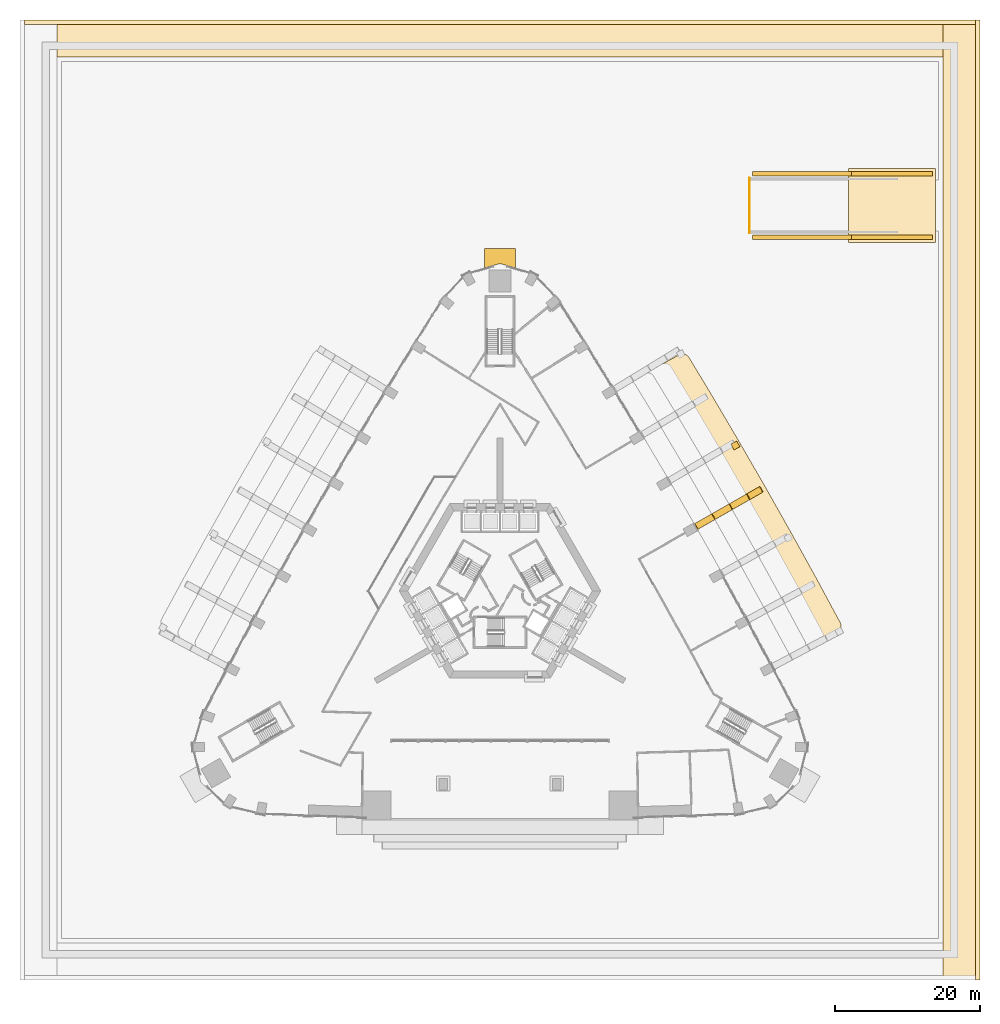
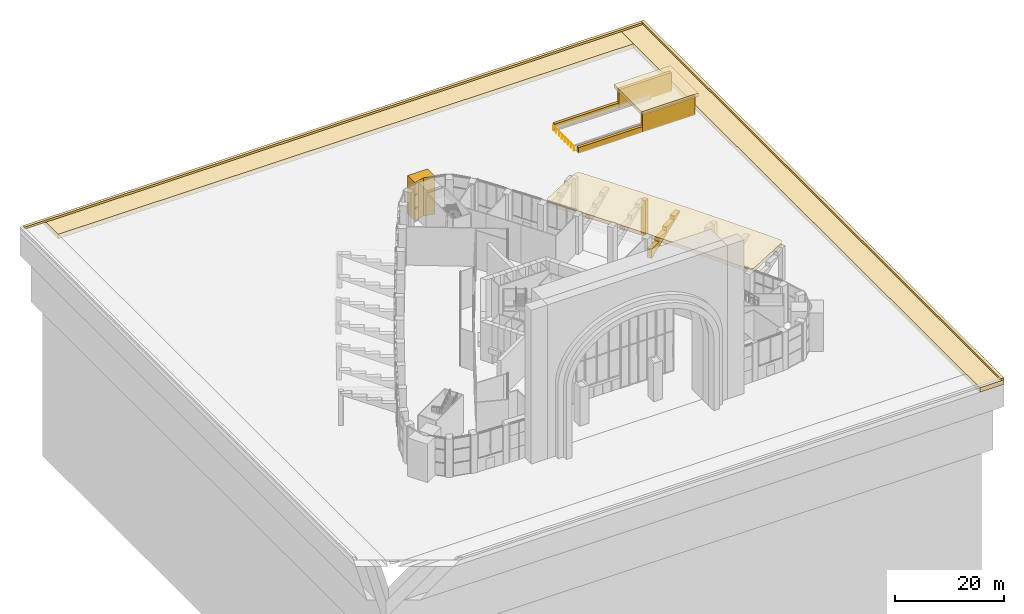
# One storey, part 35 of 36: 13 coverings, 1 railing.
"""IFC4 building model written with IfcOpenShell, lengths in metres."""

from ifc_helpers import new_model, si_unit, direction, frame, origin, origin_2d, place, context, subcontext, project, spatial, polyline, rectangle, circle, outline, extrude, material, layer, layer_set, type_object, element, save


model = new_model("IFC4")

# Units and contexts
model_context = context("Model", 3, precision=1e-05, world=origin(), true_north=direction((0.0, 1.0)))
body_context = subcontext(model_context, "Body", "Model", "MODEL_VIEW")
ifc_project = project(units=[si_unit("LENGTHUNIT", "METRE"), si_unit("AREAUNIT", "SQUARE_METRE"), si_unit("VOLUMEUNIT", "CUBIC_METRE"), si_unit("PLANEANGLEUNIT", "RADIAN"), si_unit("MASSUNIT", "GRAM", prefix="KILO")], contexts=[model_context])

# Site, building, storey
site_placement = place(None, origin())
site = spatial("IfcSite", under=ifc_project, at=site_placement, CompositionType="ELEMENT")
building_placement = place(site_placement, origin())
building = spatial("IfcBuilding", under=site, at=building_placement, Name="Entoto Arch Interchange Tower", CompositionType="ELEMENT")
storey_placement = place(building_placement, origin())
storey = spatial("IfcBuildingStorey", under=building, at=storey_placement, Name="L00", CompositionType="ELEMENT", Elevation=0.0)

# Railing
ifc_material_1 = material(Name="Steel S355, galvanised", Category="steel")
railing_type = type_object("IfcRailingType", Name="Car ramp guard 1100", PredefinedType="GUARDRAIL", material=ifc_material_1)
railing_placement = place(storey_placement, frame((34.300048828125, 51.699951171875, 0.0)))
element("IfcRailing", 1, at=railing_placement, inside=storey, type_object=railing_type, Name="Car ramp R1 guard", PredefinedType="GUARDRAIL", context=body_context, shape_type="SweptSolid", body=[
    extrude(circle(Radius=0.02392578125, at=origin_2d()), frame((0.0, 0.0, 1.076171875), z_axis=(0.0, 1.0, 0.0), x_axis=(-1.0, 0.0, 0.0)), (0.0, 0.0, 1.0), 7.60009765625),
    extrude(circle(Radius=0.02099609375, at=origin_2d()), origin(), (0.0, 0.0, 1.0), 1.052001953125),
    extrude(circle(Radius=0.02099609375, at=origin_2d()), frame((0.0, 1.085693359375, 0.0)), (0.0, 0.0, 1.0), 1.052001953125),
    extrude(circle(Radius=0.02099609375, at=origin_2d()), frame((0.0, 2.17138671875, 0.0)), (0.0, 0.0, 1.0), 1.052001953125),
    extrude(circle(Radius=0.02099609375, at=origin_2d()), frame((0.0, 3.257080078125, 0.0)), (0.0, 0.0, 1.0), 1.052001953125),
    extrude(circle(Radius=0.02099609375, at=origin_2d()), frame((0.0, 4.343017578125, 0.0)), (0.0, 0.0, 1.0), 1.052001953125),
    extrude(circle(Radius=0.02099609375, at=origin_2d()), frame((0.0, 5.4287109375, 0.0)), (0.0, 0.0, 1.0), 1.052001953125),
    extrude(circle(Radius=0.02099609375, at=origin_2d()), frame((0.0, 6.514404296875, 0.0)), (0.0, 0.0, 1.0), 1.052001953125),
    extrude(circle(Radius=0.02099609375, at=origin_2d()), frame((0.0, 7.60009765625, 0.0)), (0.0, 0.0, 1.0), 1.052001953125),
])

# Coverings
ifc_material_2 = material(Name="Board-marked precast concrete C50/60", Category="concrete")
covering_type_1 = type_object("IfcCoveringType", Name="PRECAST FRAME COURSE", PredefinedType="CLADDING", material=ifc_material_2)
covering_1_placement = place(storey_placement, origin())
element("IfcCovering", 2, at=covering_1_placement, inside=storey, type_object=covering_type_1, Name="Podium corner pier N L00", PredefinedType="CLADDING", context=body_context, shape_type="SweptSolid", body=[
    extrude(outline(polyline([(2.10009765625, 49.612060546875), (2.10009765625, 46.916015625), (0.0, 47.511962890625), (-2.10009765625, 46.916015625), (-2.10009765625, 49.612060546875), (2.10009765625, 49.612060546875)])), origin(), (0.0, 0.0, 1.0), 8.550048828125),
])
covering_2_placement = place(storey_placement, frame((0.0, 0.0, 7.60009765625)))
element("IfcCovering", 3, at=covering_2_placement, inside=storey, type_object=covering_type_1, Name="Street brow NE 1", PredefinedType="CLADDING", context=body_context, shape_type="SweptSolid", body=[
    extrude(outline(polyline([(28.971923828125, 29.655029296875), (28.97509765625, 29.65087890625), (29.02587890625, 29.56396484375), (29.029052734375, 29.56005859375), (32.748046875, 23.259033203125), (32.7509765625, 23.2548828125), (32.802001953125, 23.1669921875), (32.803955078125, 23.1630859375), (36.4619140625, 16.827880859375), (36.464111328125, 16.823974609375), (36.514892578125, 16.735107421875), (36.51708984375, 16.73095703125), (40.114013671875, 10.35888671875), (40.115966796875, 10.35498046875), (40.166015625, 10.26708984375), (40.16796875, 10.262939453125), (43.702880859375, 3.85791015625), (43.705078125, 3.85400390625), (43.75390625, 3.763916015625), (43.756103515625, 3.760009765625), (46.783935546875, -1.85498046875), (46.825927734375, -1.944091796875), (46.860107421875, -2.037109375), (46.884033203125, -2.132080078125), (46.89892578125, -2.22900390625), (46.904052734375, -2.327880859375), (46.89892578125, -2.426025390625), (46.885009765625, -2.52392578125), (46.861083984375, -2.618896484375), (46.827880859375, -2.7119140625), (46.785888671875, -2.801025390625), (46.735107421875, -2.885986328125), (46.676025390625, -2.965087890625), (46.610107421875, -3.0380859375), (46.537109375, -3.10400390625), (46.4580078125, -3.162109375), (46.373046875, -3.212890625), (38.426025390625, -7.43701171875), (38.3369140625, -7.47802734375), (38.2451171875, -7.510986328125), (38.14990234375, -7.534912109375), (38.053955078125, -7.549072265625), (37.9560546875, -7.552978515625), (37.85791015625, -7.549072265625), (37.761962890625, -7.533935546875), (37.6669921875, -7.510986328125), (37.574951171875, -7.47802734375), (37.486083984375, -7.43603515625), (37.402099609375, -7.385986328125), (37.323974609375, -7.327880859375), (37.2509765625, -7.261962890625), (37.18505859375, -7.18994140625), (37.126953125, -7.112060546875), (37.075927734375, -7.028076171875), (34.074951171875, -1.462890625), (30.5380859375, 4.946044921875), (26.93896484375, 11.322021484375), (23.279052734375, 17.660888671875), (19.556884765625, 23.966064453125), (16.319091796875, 29.333984375), (16.27294921875, 29.41796875), (16.236083984375, 29.506103515625), (16.20703125, 29.596923828125), (16.18798828125, 29.69091796875), (16.177001953125, 29.785888671875), (16.175048828125, 29.881103515625), (16.18310546875, 29.97607421875), (16.198974609375, 30.071044921875), (16.22509765625, 30.1630859375), (16.259033203125, 30.251953125), (16.301025390625, 30.337890625), (16.35205078125, 30.4189453125), (16.409912109375, 30.4951171875), (16.47509765625, 30.56494140625), (16.5458984375, 30.6279296875), (16.623046875, 30.68505859375), (16.705078125, 30.73388671875), (24.6640625, 34.964111328125), (24.756103515625, 35.006103515625), (24.85107421875, 35.0400390625), (24.949951171875, 35.06298828125), (25.050048828125, 35.076904296875), (25.15087890625, 35.080078125), (25.251953125, 35.073974609375), (25.35107421875, 35.056884765625), (25.448974609375, 35.030029296875), (25.54296875, 34.992919921875), (25.633056640625, 34.947021484375), (25.718017578125, 34.89208984375), (25.797119140625, 34.8291015625), (25.868896484375, 34.759033203125), (25.93310546875, 34.680908203125), (25.989990234375, 34.596923828125), (28.971923828125, 29.655029296875)])), origin(), (0.0, 0.0, 1.0), 0.7998046875),
])
covering_3_placement = place(storey_placement, frame((27.342041015625, 11.0390625, 3.0869140625), z_axis=(0.495661330595, -0.868510955158, 0.002926794136), x_axis=(-0.831648711906, -0.475589977009, -0.286661113081)))
element("IfcCovering", 4, at=covering_3_placement, inside=storey, type_object=covering_type_1, Name="Brow rib NE05", PredefinedType="CLADDING", context=body_context, shape_type="SweptSolid", body=[
    extrude(outline(polyline([(0.0, 0.0), (0.0315135380694704, 0.0), (0.059681685203490424, -0.005371246160310809), (0.09849959778972259, -0.024377031971798746), (0.1239551646771707, -0.043461076980855634), (0.14267301519575895, -0.06562548471735144), (0.16068632931608462, -0.1056740848348138), (0.16658399001678897, -0.1344505757301365), (0.16618994596936185, -0.17918464122304548), (-0.3629862575072749, -1.9405302270342843), (-0.38135693451063085, -1.9809042290862975), (-0.4099321746325098, -2.0131267621288744), (-0.44830430378643943, -2.036048320390504), (-0.49134989434886545, -2.047123281358872), (-0.5188989823450473, -2.047289162240164), (-0.5485467689975166, -2.0414759208620583), (-3.038042230804876, -1.296569102100698), (-3.2308885556595084, -1.933041232983594), (-3.252876862131108, -1.9702933583084767), (-3.2848566673397888, -2.0004788628565673), (-3.3243616154071236, -2.0200024300545634), (-3.369582807882775, -2.026094965683188), (-3.4121799441277907, -2.019719426260762), (-5.90167540593515, -1.2748126074994017), (-6.094521730789783, -1.9112847383822977), (-6.116510037261382, -1.9485368637071805), (-6.148489842470063, -1.9787223682552706), (-6.187924804914086, -1.998012042001618), (-6.233332093847279, -2.0043043761687658), (-6.278017987319661, -1.9973034721893708), (-8.767600377529094, -1.252369625228079), (-8.952742236228946, -1.8753465987704248), (-8.964551993746674, -1.902139587941858), (-8.989789546893553, -1.9384195715181622), (-9.026429764570297, -1.9638987650630124), (-9.066903699892023, -1.9790546724776523), (-9.109931561348864, -1.9817246618715672), (-9.141651162449936, -1.975546977588075), (-10.914167709181923, -1.4451741537387552), (-10.956630921770909, -1.4260977050721593), (-10.986362384841732, -1.3973238644615877), (-11.010739626801971, -1.358684277996892), (-11.021233845654235, -1.3170644928886523), (-11.023136278235633, -1.2871891975901915), (-11.016616803795769, -1.257794938480362), (-11.004923157112273, -1.2309678543958023), (-10.989082774020064, -1.20665618470961), (-10.968394286388389, -1.1855792754905092), (-10.944118947334488, -1.1688889282829695), (-10.918081002473597, -1.1578215636570626), (-10.888533109447422, -1.1521374579623718), (0.0, 0.0)])), origin(), (0.0, 0.0, -1.0), 0.89990234375),
])
covering_4_placement = place(storey_placement, origin())
element("IfcCovering", 5, at=covering_4_placement, inside=storey, type_object=covering_type_1, Name="Brow post NE06", PredefinedType="CLADDING", context=body_context, shape_type="SweptSolid", body=[
    extrude(outline(polyline([(32.18603515625, 21.889892578125), (32.98095703125, 22.31298828125), (32.55810546875, 23.10693359375), (31.763916015625, 22.68505859375), (32.18603515625, 21.889892578125)])), origin(), (0.0, 0.0, 1.0), 7.60009765625),
])
ifc_layer_1 = layer(ifc_material_2, 0.800048828125)
ifc_layer_set_1 = layer_set([ifc_layer_1], Name="Board-marked precast concrete C50/60")
covering_type_2 = type_object("IfcCoveringType", Name="RAMP PORTAL CANOPY PRECAST 800", PredefinedType="CLADDING", material=ifc_layer_set_1)
covering_5_placement = place(storey_placement, frame((53.89990234375, 55.5, 4.0), z_axis=(0.0, 0.0, 1.0), x_axis=(1.0, 0.0, 0.0)))
element("IfcCovering", 6, at=covering_5_placement, inside=storey, type_object=covering_type_2, Name="Ramp portal canopy", PredefinedType="CLADDING", context=body_context, shape_type="SweptSolid", body=[
    extrude(rectangle(XDim=12.0, YDim=10.199951171875, at=origin_2d()), origin(), (0.0, 0.0, 1.0), 0.800048828125),
])
ifc_layer_2 = layer(ifc_material_2, 0.60009765625)
ifc_layer_set_2 = layer_set([ifc_layer_2], Name="Board-marked precast concrete C50/60")
covering_type_3 = type_object("IfcCoveringType", Name="RAMP PORTAL CHEEK WALL PRECAST 600", PredefinedType="CLADDING", material=ifc_layer_set_2)
for number, where, z_axis, x_axis, name in (
    (7, (41.550048828125, 51.14990234375, -0.2001953125), (0.0, 0.0, 1.0), (1.0, 0.0, 0.0), "Ramp trench cheek wall 1"),
    (8, (41.550048828125, 59.85009765625, -0.2001953125), (0.0, 0.0, 1.0), (1.0, 0.0, 0.0), "Ramp trench cheek wall 2"),
):
    element("IfcCovering", number, at=place(storey_placement, frame(where, z_axis=z_axis, x_axis=x_axis)), inside=storey, type_object=covering_type_3, Name=name, PredefinedType="CLADDING", context=body_context, shape_type="SweptSolid", body=[
        extrude(rectangle(XDim=13.60009765625, YDim=0.60009765625, at=origin_2d()), origin(), (0.0, 0.0, 1.0), 1.300048828125),
    ])
ifc_layer_3 = layer(ifc_material_2, 0.60009765625)
ifc_layer_set_3 = layer_set([ifc_layer_3], Name="Board-marked precast concrete C50/60")
covering_type_4 = type_object("IfcCoveringType", Name="RAMP PORTAL WALL PRECAST 600", PredefinedType="CLADDING", material=ifc_layer_set_3)
for number, where, z_axis, x_axis, name in (
    (9, (53.89990234375, 51.14990234375, -0.2001953125), (0.0, 0.0, 1.0), (1.0, 0.0, 0.0), "Ramp portal side wall 1"),
    (10, (53.89990234375, 59.85009765625, -0.2001953125), (0.0, 0.0, 1.0), (1.0, 0.0, 0.0), "Ramp portal side wall 2"),
):
    element("IfcCovering", number, at=place(storey_placement, frame(where, z_axis=z_axis, x_axis=x_axis)), inside=storey, type_object=covering_type_4, Name=name, PredefinedType="CLADDING", context=body_context, shape_type="SweptSolid", body=[
        extrude(rectangle(XDim=11.10009765625, YDim=0.60009765625, at=origin_2d()), origin(), (0.0, 0.0, 1.0), 4.199951171875),
    ])
ifc_layer_4 = layer(ifc_material_2, 1.0)
ifc_layer_set_4 = layer_set([ifc_layer_4], Name="Board-marked precast concrete C50/60")
covering_type_5 = type_object("IfcCoveringType", Name="SITE APRON PAVING 1000", PredefinedType="CLADDING", material=ifc_layer_set_4)
covering_6_placement = place(storey_placement, frame((63.449951171875, 15.0, -1.0), z_axis=(0.0, 0.0, 1.0), x_axis=(1.0, 0.0, 0.0)))
element("IfcCovering", 11, at=covering_6_placement, inside=storey, type_object=covering_type_5, Name="Site apron east", PredefinedType="CLADDING", context=body_context, shape_type="SweptSolid", body=[
    extrude(rectangle(XDim=5.10009765625, YDim=132.0, at=origin_2d()), origin(), (0.0, 0.0, 1.0), 1.0),
])
covering_7_placement = place(storey_placement, frame((0.0, 78.449951171875, -1.0), z_axis=(0.0, 0.0, 1.0), x_axis=(1.0, 0.0, 0.0)))
element("IfcCovering", 12, at=covering_7_placement, inside=storey, type_object=covering_type_5, Name="Site apron north", PredefinedType="CLADDING", context=body_context, shape_type="SweptSolid", body=[
    extrude(rectangle(XDim=121.800048828125, YDim=5.10009765625, at=origin_2d()), origin(), (0.0, 0.0, 1.0), 1.0),
])
ifc_layer_5 = layer(ifc_material_2, 0.60009765625)
ifc_layer_set_5 = layer_set([ifc_layer_5], Name="Board-marked precast concrete C50/60")
covering_type_6 = type_object("IfcCoveringType", Name="SITE KERB PRECAST 600", PredefinedType="CLADDING", material=ifc_layer_set_5)
covering_8_placement = place(storey_placement, frame((65.699951171875, 15.0, 0.0), z_axis=(0.0, 0.0, 1.0), x_axis=(1.0, 0.0, 0.0)))
element("IfcCovering", 13, at=covering_8_placement, inside=storey, type_object=covering_type_6, Name="Site kerb east", PredefinedType="CLADDING", context=body_context, shape_type="SweptSolid", body=[
    extrude(rectangle(XDim=0.60009765625, YDim=132.0, at=origin_2d()), origin(), (0.0, 0.0, 1.0), 0.449951171875),
])
covering_9_placement = place(storey_placement, frame((0.0, 80.699951171875, 0.0), z_axis=(0.0, 0.0, 1.0), x_axis=(1.0, 0.0, 0.0)))
element("IfcCovering", 14, at=covering_9_placement, inside=storey, type_object=covering_type_6, Name="Site kerb north", PredefinedType="CLADDING", context=body_context, shape_type="SweptSolid", body=[
    extrude(rectangle(XDim=130.800048828125, YDim=0.60009765625, at=origin_2d()), origin(), (0.0, 0.0, 1.0), 0.449951171875),
])

save(model, "model.ifc")
